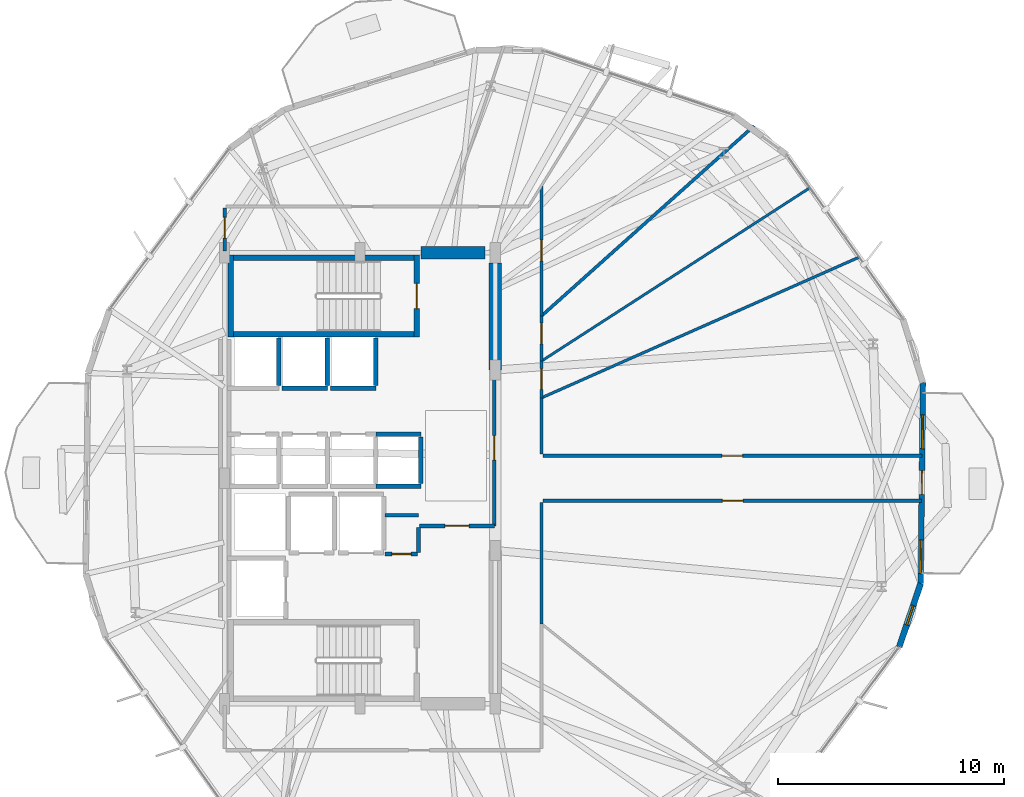
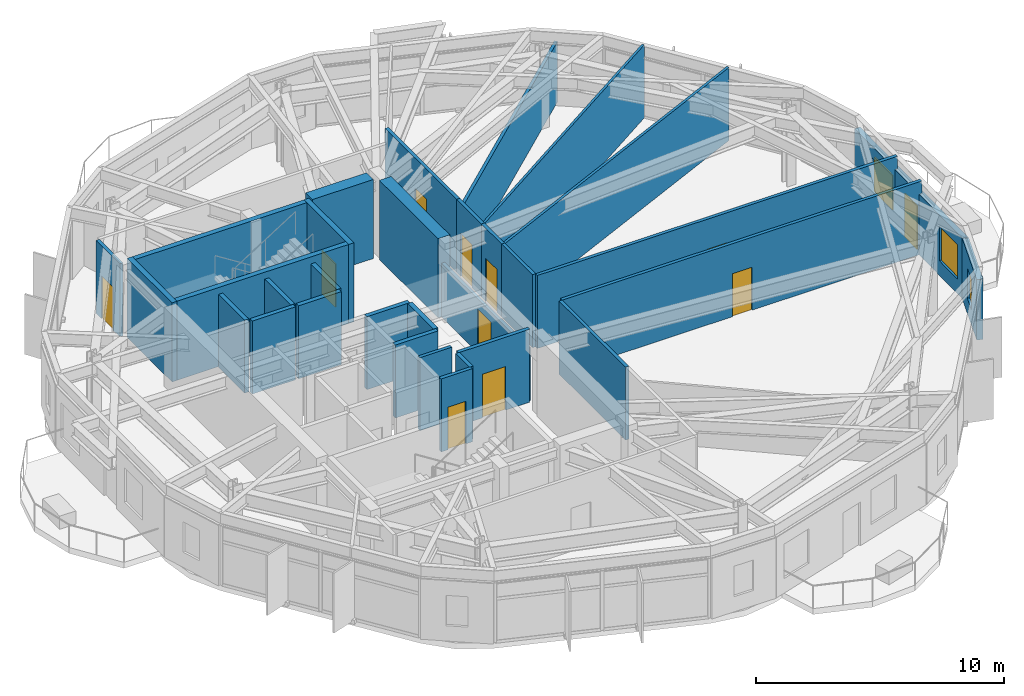
# One storey, part 23 of 27: 32 walls, 11 doors, 3 windows, 14 openings.
"""IFC4 building model written with IfcOpenShell, lengths in metres."""

from ifc_helpers import new_model, si_unit, direction, frame, frame_2d, origin, place, context, subcontext, project, spatial, rectangle, extrude, material, layer, layer_set, type_object, element, fill, save


model = new_model("IFC4")

# Units and contexts
model_context = context("Model", 3, precision=1e-05, world=origin(), true_north=direction((0.0, 1.0)))
body_context = subcontext(model_context, "Body", "Model", "MODEL_VIEW")
ifc_project = project(units=[si_unit("LENGTHUNIT", "METRE"), si_unit("AREAUNIT", "SQUARE_METRE"), si_unit("VOLUMEUNIT", "CUBIC_METRE"), si_unit("PLANEANGLEUNIT", "RADIAN"), si_unit("MASSUNIT", "GRAM", prefix="KILO")], contexts=[model_context])

# Site, building, storey
site_placement = place(None, origin())
site = spatial("IfcSite", under=ifc_project, at=site_placement, CompositionType="ELEMENT")
building_placement = place(site_placement, origin())
building = spatial("IfcBuilding", under=site, at=building_placement, Name="Soratama Intermodal Tower", CompositionType="ELEMENT")
storey_placement = place(building_placement, frame((0.0, 0.0, 95.199951171875)))
storey = spatial("IfcBuildingStorey", under=building, at=storey_placement, Name="L22", CompositionType="ELEMENT", Elevation=95.199951171875)

# Wall, openings, door, windows
ifc_material_1 = material(Name="Concrete f'c 42 MPa", Category="concrete")
ifc_layer_1 = layer(ifc_material_1, 0.25)
ifc_layer_set_1 = layer_set([ifc_layer_1], Name="Concrete f'c 42 MPa")
wall_type_1 = type_object("IfcWallType", Name="EW-BAL-250", PredefinedType="SOLIDWALL", material=ifc_layer_set_1)
wall_1_placement = place(storey_placement, frame((63.456298828125, 20.332763671875, 0.0), z_axis=(0.0, 0.0, 1.0), x_axis=(0.011510186569, 0.999933755608, 0.0)))
wall_1 = element("IfcWall", 1, at=wall_1_placement, inside=storey, type_object=wall_type_1, Name="L22 Terrace Wall F10", PredefinedType="SOLIDWALL", context=body_context, shape_type="SweptSolid", body=[
    extrude(rectangle(XDim=8.908447265625, YDim=0.25, at=frame_2d((4.4541015625, 0.0))), origin(), (0.0, 0.0, 1.0), 2.97900390625),
])
opening_1_placement = place(wall_1_placement, frame((3.954345703125, 0.0, 0.0)))
opening_1 = element("IfcOpeningElement", 2, at=opening_1_placement, cuts=wall_1, Name="Opening ED-5", PredefinedType="OPENING", context=body_context, shape_type="SweptSolid", body=[
    extrude(rectangle(XDim=1.050048828125, YDim=2.14990234375, at=frame_2d((0.52490234375, 1.074951171875))), frame((0.0, 0.135009765625, 0.0), z_axis=(0.0, -1.0, 0.0), x_axis=(1.0, 0.0, 0.0)), (0.0, 0.0, 1.0), 0.27001953125),
])
opening_2_placement = place(wall_1_placement, frame((0.43994140625, 0.0, 0.719970703125)))
opening_2 = element("IfcOpeningElement", 3, at=opening_2_placement, cuts=wall_1, Name="Opening WN-1", PredefinedType="OPENING", context=body_context, shape_type="SweptSolid", body=[
    extrude(rectangle(XDim=1.5, YDim=1.699951171875, at=frame_2d((0.75, 0.85009765625))), frame((0.0, 0.135009765625, 0.0), z_axis=(0.0, -1.0, 0.0), x_axis=(1.0, 0.0, 0.0)), (0.0, 0.0, 1.0), 0.27001953125),
])
opening_3_placement = place(wall_1_placement, frame((5.975341796875, 0.0, 0.719970703125)))
opening_3 = element("IfcOpeningElement", 4, at=opening_3_placement, cuts=wall_1, Name="Opening WN-1", PredefinedType="OPENING", context=body_context, shape_type="SweptSolid", body=[
    extrude(rectangle(XDim=1.5, YDim=1.699951171875, at=frame_2d((0.75, 0.85009765625))), frame((0.0, 0.135009765625, 0.0), z_axis=(0.0, -1.0, 0.0), x_axis=(1.0, 0.0, 0.0)), (0.0, 0.0, 1.0), 0.27001953125),
])
ifc_material_2 = material(Name="Double-glazed aluminium door", Category="aluminium")
door_type_1 = type_object("IfcDoorType", Name="DR-BAL-1050", OperationType="NOTDEFINED", PredefinedType="DOOR", material=ifc_material_2)
door_1_placement = place(opening_1_placement, origin())
door_1 = element("IfcDoor", 5, at=door_1_placement, inside=storey, type_object=door_type_1, Name="L22 Balcony Door F10", OperationType="SINGLE_SWING_RIGHT", OverallHeight=2.14990234375, OverallWidth=1.050048828125, PredefinedType="DOOR", context=body_context, shape_type="SweptSolid", body=[
    extrude(rectangle(XDim=1.050048828125, YDim=2.14990234375, at=frame_2d((0.52490234375, 1.074951171875))), frame((0.0, 0.02490234375, 0.0), z_axis=(0.0, -1.0, 0.0), x_axis=(1.0, 0.0, 0.0)), (0.0, 0.0, 1.0), 0.050048828125),
])
fill(opening_1, door_1)
ifc_material_3 = material(Name="Double-glazed aluminium window", Category="aluminium")
window_type_1 = type_object("IfcWindowType", Name="WN-FAC-1500", PartitioningType="SINGLE_PANEL", PredefinedType="WINDOW", material=ifc_material_3)
window_1_placement = place(opening_2_placement, origin())
window_1 = element("IfcWindow", 6, at=window_1_placement, inside=storey, type_object=window_type_1, Name="L22 Window A F10", OverallHeight=1.699951171875, OverallWidth=1.5, PartitioningType="SINGLE_PANEL", PredefinedType="WINDOW", context=body_context, shape_type="SweptSolid", body=[
    extrude(rectangle(XDim=1.5, YDim=1.699951171875, at=frame_2d((0.75, 0.85009765625))), frame((0.0, 0.030029296875, 0.0), z_axis=(0.0, -1.0, 0.0), x_axis=(1.0, 0.0, 0.0)), (0.0, 0.0, 1.0), 0.06005859375),
])
fill(opening_2, window_1)
window_2_placement = place(opening_3_placement, origin())
window_2 = element("IfcWindow", 7, at=window_2_placement, inside=storey, type_object=window_type_1, Name="L22 Window B F10", OverallHeight=1.699951171875, OverallWidth=1.5, PartitioningType="SINGLE_PANEL", PredefinedType="WINDOW", context=body_context, shape_type="SweptSolid", body=[
    extrude(rectangle(XDim=1.5, YDim=1.699951171875, at=frame_2d((0.75, 0.85009765625))), frame((0.0, 0.030029296875, 0.0), z_axis=(0.0, -1.0, 0.0), x_axis=(1.0, 0.0, 0.0)), (0.0, 0.0, 1.0), 0.06005859375),
])
fill(opening_3, window_2)

# Wall, opening, window
ifc_material_4 = material(Name="Concrete f'c 42 MPa", Category="concrete")
ifc_layer_2 = layer(ifc_material_4, 0.27001953125)
ifc_layer_set_2 = layer_set([ifc_layer_2], Name="Concrete f'c 42 MPa")
wall_type_2 = type_object("IfcWallType", Name="EW-CRN-270", PredefinedType="SOLIDWALL", material=ifc_layer_set_2)
wall_2_placement = place(storey_placement, frame((62.507080078125, 17.522216796875, 0.0), z_axis=(0.0, 0.0, 1.0), x_axis=(0.319978121569, 0.94742493197, 0.0)))
wall_2 = element("IfcWall", 8, at=wall_2_placement, inside=storey, type_object=wall_type_2, Name="L22 Corner Closure Wall 09", PredefinedType="SOLIDWALL", context=body_context, shape_type="SweptSolid", body=[
    extrude(rectangle(XDim=2.966552734375, YDim=0.27001953125, at=frame_2d((1.4833984375, 0.0))), origin(), (0.0, 0.0, 1.0), 2.97900390625),
])
opening_4_placement = place(wall_2_placement, frame((1.033203125, 0.0, 0.75)))
opening_4 = element("IfcOpeningElement", 9, at=opening_4_placement, cuts=wall_2, Name="Opening WN-6", PredefinedType="OPENING", context=body_context, shape_type="SweptSolid", body=[
    extrude(rectangle(XDim=0.89990234375, YDim=1.5, at=frame_2d((0.449951171875, 0.75))), frame((0.0, 0.14501953125, 0.0), z_axis=(0.0, -1.0, 0.0), x_axis=(1.0, 0.0, 0.0)), (0.0, 0.0, 1.0), 0.2900390625),
])
ifc_material_5 = material(Name="Double-glazed aluminium window", Category="aluminium")
window_type_2 = type_object("IfcWindowType", Name="WN-FAC-900", PartitioningType="SINGLE_PANEL", PredefinedType="WINDOW", material=ifc_material_5)
window_3_placement = place(opening_4_placement, origin())
window_3 = element("IfcWindow", 10, at=window_3_placement, inside=storey, type_object=window_type_2, Name="L22 Corner Window 09", OverallHeight=1.5, OverallWidth=0.89990234375, PartitioningType="SINGLE_PANEL", PredefinedType="WINDOW", context=body_context, shape_type="SweptSolid", body=[
    extrude(rectangle(XDim=0.89990234375, YDim=1.5, at=frame_2d((0.449951171875, 0.75))), frame((0.0, 0.030029296875, 0.0), z_axis=(0.0, -1.0, 0.0), x_axis=(1.0, 0.0, 0.0)), (0.0, 0.0, 1.0), 0.06005859375),
])
fill(opening_4, window_3)

# Wall, opening, door
ifc_material_6 = material(Name="Fire-rated gypsum stud partition", Category="concrete")
ifc_layer_3 = layer(ifc_material_6, 0.14990234375)
ifc_layer_set_3 = layer_set([ifc_layer_3], Name="Fire-rated gypsum stud partition")
wall_type_3 = type_object("IfcWallType", Name="IW-PART-R150", PredefinedType="PARTITIONING", material=ifc_layer_set_3)
wall_3_placement = place(storey_placement, frame((46.719970703125, 26.0, 0.0), z_axis=(0.0, 0.0, 1.0), x_axis=(1.0, 0.0, 0.0)))
wall_3 = element("IfcWall", 11, at=wall_3_placement, inside=storey, type_object=wall_type_3, Name="L22 Partition W-L22-TP001", PredefinedType="PARTITIONING", context=body_context, shape_type="SweptSolid", body=[
    extrude(rectangle(XDim=16.802001953125, YDim=0.14990234375, at=frame_2d((8.40087890625, 0.0))), origin(), (0.0, 0.0, 1.0), 3.60009765625),
])
opening_5_placement = place(wall_3_placement, frame((7.926025390625, 0.0, 0.0)))
opening_5 = element("IfcOpeningElement", 12, at=opening_5_placement, cuts=wall_3, Name="Opening ID-6", PredefinedType="OPENING", context=body_context, shape_type="SweptSolid", body=[
    extrude(rectangle(XDim=0.919921875, YDim=2.1201171875, at=frame_2d((0.4599609375, 1.06005859375))), frame((0.0, 0.0849609375, 0.0), z_axis=(0.0, -1.0, 0.0), x_axis=(1.0, 0.0, 0.0)), (0.0, 0.0, 1.0), 0.169921875),
])
ifc_material_7 = material(Name="Solid hardwood acoustic door", Category="wood")
door_type_2 = type_object("IfcDoorType", Name="DR-ROOM-920", OperationType="NOTDEFINED", PredefinedType="DOOR", material=ifc_material_7)
door_2_placement = place(opening_5_placement, origin())
door_2 = element("IfcDoor", 13, at=door_2_placement, inside=storey, type_object=door_type_2, Name="L22 Door D-L22-TP001", OperationType="SINGLE_SWING_RIGHT", OverallHeight=2.1201171875, OverallWidth=0.919921875, PredefinedType="DOOR", context=body_context, shape_type="SweptSolid", body=[
    extrude(rectangle(XDim=0.919921875, YDim=2.1201171875, at=frame_2d((0.4599609375, 1.06005859375))), frame((0.0, 0.02490234375, 0.0), z_axis=(0.0, -1.0, 0.0), x_axis=(1.0, 0.0, 0.0)), (0.0, 0.0, 1.0), 0.050048828125),
])
fill(opening_5, door_2)

wall_4_placement = place(storey_placement, frame((63.4990234375, 24.0, 0.0), z_axis=(0.0, 0.0, 1.0), x_axis=(-1.0, 0.0, 0.0)))
wall_4 = element("IfcWall", 14, at=wall_4_placement, inside=storey, type_object=wall_type_3, Name="L22 Partition W-L22-TP002", PredefinedType="PARTITIONING", context=body_context, shape_type="SweptSolid", body=[
    extrude(rectangle(XDim=16.779052734375, YDim=0.14990234375, at=frame_2d((8.3896484375, 0.0))), origin(), (0.0, 0.0, 1.0), 3.60009765625),
])
opening_6_placement = place(wall_4_placement, frame((7.9150390625, 0.0, 0.0)))
opening_6 = element("IfcOpeningElement", 15, at=opening_6_placement, cuts=wall_4, Name="Opening ID-6", PredefinedType="OPENING", context=body_context, shape_type="SweptSolid", body=[
    extrude(rectangle(XDim=0.919921875, YDim=2.1201171875, at=frame_2d((0.4599609375, 1.06005859375))), frame((0.0, 0.0849609375, 0.0), z_axis=(0.0, -1.0, 0.0), x_axis=(1.0, 0.0, 0.0)), (0.0, 0.0, 1.0), 0.169921875),
])
door_3_placement = place(opening_6_placement, origin())
door_3 = element("IfcDoor", 16, at=door_3_placement, inside=storey, type_object=door_type_2, Name="L22 Door D-L22-TP002", OperationType="SINGLE_SWING_LEFT", OverallHeight=2.1201171875, OverallWidth=0.919921875, PredefinedType="DOOR", context=body_context, shape_type="SweptSolid", body=[
    extrude(rectangle(XDim=0.919921875, YDim=2.1201171875, at=frame_2d((0.4599609375, 1.06005859375))), frame((0.0, 0.02490234375, 0.0), z_axis=(0.0, -1.0, 0.0), x_axis=(1.0, 0.0, 0.0)), (0.0, 0.0, 1.0), 0.050048828125),
])
fill(opening_6, door_3)

wall_5_placement = place(storey_placement, frame((44.56005859375, 29.800048828125, 0.0), z_axis=(0.0, 0.0, 1.0), x_axis=(0.0, -1.0, 0.0)))
wall_5 = element("IfcWall", 17, at=wall_5_placement, inside=storey, type_object=wall_type_3, Name="L22 Partition W-L22-TP011", PredefinedType="PARTITIONING", context=body_context, shape_type="SweptSolid", body=[
    extrude(rectangle(XDim=6.91015625, YDim=0.14990234375, at=frame_2d((3.455078125, 0.0))), origin(), (0.0, 0.0, 1.0), 2.64013671875),
])
opening_7_placement = place(wall_5_placement, frame((2.9150390625, 0.0, 0.0)))
opening_7 = element("IfcOpeningElement", 18, at=opening_7_placement, cuts=wall_5, Name="Opening ID-1", PredefinedType="OPENING", context=body_context, shape_type="SweptSolid", body=[
    extrude(rectangle(XDim=1.080078125, YDim=2.14990234375, at=frame_2d((0.5400390625, 1.074951171875))), frame((0.0, 0.0849609375, 0.0), z_axis=(0.0, -1.0, 0.0), x_axis=(1.0, 0.0, 0.0)), (0.0, 0.0, 1.0), 0.169921875),
])
ifc_material_8 = material(Name="Solid hardwood acoustic door", Category="wood")
door_type_3 = type_object("IfcDoorType", Name="DR-LOB-FD60", OperationType="NOTDEFINED", PredefinedType="DOOR", material=ifc_material_8)
door_4_placement = place(opening_7_placement, origin())
door_4 = element("IfcDoor", 19, at=door_4_placement, inside=storey, type_object=door_type_3, Name="L22 Door D-L22-TP005", OperationType="SINGLE_SWING_RIGHT", OverallHeight=2.14990234375, OverallWidth=1.080078125, PredefinedType="DOOR", context=body_context, shape_type="SweptSolid", body=[
    extrude(rectangle(XDim=1.080078125, YDim=2.14990234375, at=frame_2d((0.5400390625, 1.074951171875))), frame((0.0, 0.02490234375, 0.0), z_axis=(0.0, -1.0, 0.0), x_axis=(1.0, 0.0, 0.0)), (0.0, 0.0, 1.0), 0.050048828125),
])
fill(opening_7, door_4)

wall_6_placement = place(storey_placement, frame((46.64990234375, 37.972900390625, 0.0), z_axis=(0.0, 0.0, 1.0), x_axis=(0.0, -1.0, 0.0)))
wall_6 = element("IfcWall", 20, at=wall_6_placement, inside=storey, type_object=wall_type_3, Name="L22 Partition W-L22-TP012", PredefinedType="PARTITIONING", context=body_context, shape_type="SweptSolid", body=[
    extrude(rectangle(XDim=5.77392578125, YDim=0.14990234375, at=frame_2d((2.886962890625, 0.0))), origin(), (0.0, 0.0, 1.0), 3.60009765625),
])
opening_8_placement = place(wall_6_placement, frame((2.412109375, 0.0, 0.0)))
opening_8 = element("IfcOpeningElement", 21, at=opening_8_placement, cuts=wall_6, Name="Opening ID-6", PredefinedType="OPENING", context=body_context, shape_type="SweptSolid", body=[
    extrude(rectangle(XDim=0.919921875, YDim=2.1201171875, at=frame_2d((0.4599609375, 1.06005859375))), frame((0.0, 0.0849609375, 0.0), z_axis=(0.0, -1.0, 0.0), x_axis=(1.0, 0.0, 0.0)), (0.0, 0.0, 1.0), 0.169921875),
])
door_5_placement = place(opening_8_placement, origin())
door_5 = element("IfcDoor", 22, at=door_5_placement, inside=storey, type_object=door_type_2, Name="L22 Door D-L22-TP006", OperationType="SINGLE_SWING_LEFT", OverallHeight=2.1201171875, OverallWidth=0.919921875, PredefinedType="DOOR", context=body_context, shape_type="SweptSolid", body=[
    extrude(rectangle(XDim=0.919921875, YDim=2.1201171875, at=frame_2d((0.4599609375, 1.06005859375))), frame((0.0, 0.02490234375, 0.0), z_axis=(0.0, -1.0, 0.0), x_axis=(1.0, 0.0, 0.0)), (0.0, 0.0, 1.0), 0.050048828125),
])
fill(opening_8, door_5)

# Walls
wall_7_placement = place(storey_placement, frame((46.64990234375, 23.929931640625, 0.0), z_axis=(0.0, 0.0, 1.0), x_axis=(0.0, -1.0, 0.0)))
element("IfcWall", 23, at=wall_7_placement, inside=storey, type_object=wall_type_3, Name="L22 Partition W-L22-TP014", PredefinedType="PARTITIONING", context=body_context, shape_type="SweptSolid", body=[
    extrude(rectangle(XDim=5.3798828125, YDim=0.14990234375, at=frame_2d((2.68994140625, 0.0))), origin(), (0.0, 0.0, 1.0), 3.60009765625),
])
wall_8_placement = place(storey_placement, frame((46.64990234375, 28.56591796875, 0.0), z_axis=(0.0, 0.0, 1.0), x_axis=(0.0, -1.0, 0.0)))
element("IfcWall", 24, at=wall_8_placement, inside=storey, type_object=wall_type_3, Name="L22 Partition W-L22-TP021", PredefinedType="PARTITIONING", context=body_context, shape_type="SweptSolid", body=[
    extrude(rectangle(XDim=2.495849609375, YDim=0.14990234375, at=frame_2d((1.248046875, 0.0))), origin(), (0.0, 0.0, 1.0), 3.60009765625),
])

# Wall, opening, door
wall_9_placement = place(storey_placement, frame((46.64990234375, 32.198974609375, 0.0), z_axis=(0.0, 0.0, 1.0), x_axis=(0.0, -1.0, 0.0)))
wall_9 = element("IfcWall", 25, at=wall_9_placement, inside=storey, type_object=wall_type_3, Name="L22 Partition W-L22-TP023", PredefinedType="PARTITIONING", context=body_context, shape_type="SweptSolid", body=[
    extrude(rectangle(XDim=2.001953125, YDim=0.14990234375, at=frame_2d((1.0009765625, 0.0))), origin(), (0.0, 0.0, 1.0), 3.60009765625),
])
opening_9_placement = place(wall_9_placement, frame((0.325927734375, 0.0, 0.0)))
opening_9 = element("IfcOpeningElement", 26, at=opening_9_placement, cuts=wall_9, Name="Opening ID-6", PredefinedType="OPENING", context=body_context, shape_type="SweptSolid", body=[
    extrude(rectangle(XDim=0.919921875, YDim=2.1201171875, at=frame_2d((0.4599609375, 1.06005859375))), frame((0.0, 0.0849609375, 0.0), z_axis=(0.0, -1.0, 0.0), x_axis=(1.0, 0.0, 0.0)), (0.0, 0.0, 1.0), 0.169921875),
])
door_6_placement = place(opening_9_placement, origin())
door_6 = element("IfcDoor", 27, at=door_6_placement, inside=storey, type_object=door_type_2, Name="L22 Door D-L22-TP010", OperationType="SINGLE_SWING_LEFT", OverallHeight=2.1201171875, OverallWidth=0.919921875, PredefinedType="DOOR", context=body_context, shape_type="SweptSolid", body=[
    extrude(rectangle(XDim=0.919921875, YDim=2.1201171875, at=frame_2d((0.4599609375, 1.06005859375))), frame((0.0, 0.02490234375, 0.0), z_axis=(0.0, -1.0, 0.0), x_axis=(1.0, 0.0, 0.0)), (0.0, 0.0, 1.0), 0.050048828125),
])
fill(opening_9, door_6)

wall_10_placement = place(storey_placement, frame((32.60009765625, 35.070068359375, 0.0), z_axis=(0.0, 0.0, 1.0), x_axis=(0.0, 1.0, 0.0)))
wall_10 = element("IfcWall", 28, at=wall_10_placement, inside=storey, type_object=wall_type_3, Name="L22 Partition W-L22-TP025", PredefinedType="PARTITIONING", context=body_context, shape_type="SweptSolid", body=[
    extrude(rectangle(XDim=1.909912109375, YDim=0.14990234375, at=frame_2d((0.955078125, 0.0))), origin(), (0.0, 0.0, 1.0), 3.60009765625),
])
opening_10_placement = place(wall_10_placement, frame((0.574951171875, 0.0, 0.0)))
opening_10 = element("IfcOpeningElement", 29, at=opening_10_placement, cuts=wall_10, Name="Opening ID-6", PredefinedType="OPENING", context=body_context, shape_type="SweptSolid", body=[
    extrude(rectangle(XDim=0.919921875, YDim=2.1201171875, at=frame_2d((0.4599609375, 1.06005859375))), frame((0.0, 0.0849609375, 0.0), z_axis=(0.0, -1.0, 0.0), x_axis=(1.0, 0.0, 0.0)), (0.0, 0.0, 1.0), 0.169921875),
])
door_7_placement = place(opening_10_placement, origin())
door_7 = element("IfcDoor", 30, at=door_7_placement, inside=storey, type_object=door_type_2, Name="L22 Door D-L22-TP011", OperationType="SINGLE_SWING_RIGHT", OverallHeight=2.1201171875, OverallWidth=0.919921875, PredefinedType="DOOR", context=body_context, shape_type="SweptSolid", body=[
    extrude(rectangle(XDim=0.919921875, YDim=2.1201171875, at=frame_2d((0.4599609375, 1.06005859375))), frame((0.0, 0.02490234375, 0.0), z_axis=(0.0, -1.0, 0.0), x_axis=(1.0, 0.0, 0.0)), (0.0, 0.0, 1.0), 0.050048828125),
])
fill(opening_10, door_7)

wall_11_placement = place(storey_placement, frame((46.64990234375, 30.197021484375, 0.0), z_axis=(0.0, 0.0, 1.0), x_axis=(0.0, -1.0, 0.0)))
wall_11 = element("IfcWall", 31, at=wall_11_placement, inside=storey, type_object=wall_type_3, Name="L22 Partition W-L22-TP026", PredefinedType="PARTITIONING", context=body_context, shape_type="SweptSolid", body=[
    extrude(rectangle(XDim=1.631103515625, YDim=0.14990234375, at=frame_2d((0.8154296875, 0.0))), origin(), (0.0, 0.0, 1.0), 3.60009765625),
])
opening_11_placement = place(wall_11_placement, frame((0.341064453125, 0.0, 0.0)))
opening_11 = element("IfcOpeningElement", 32, at=opening_11_placement, cuts=wall_11, Name="Opening ID-6", PredefinedType="OPENING", context=body_context, shape_type="SweptSolid", body=[
    extrude(rectangle(XDim=0.919921875, YDim=2.1201171875, at=frame_2d((0.4599609375, 1.06005859375))), frame((0.0, 0.0849609375, 0.0), z_axis=(0.0, -1.0, 0.0), x_axis=(1.0, 0.0, 0.0)), (0.0, 0.0, 1.0), 0.169921875),
])
door_8_placement = place(opening_11_placement, origin())
door_8 = element("IfcDoor", 33, at=door_8_placement, inside=storey, type_object=door_type_2, Name="L22 Door D-L22-TP012", OperationType="SINGLE_SWING_LEFT", OverallHeight=2.1201171875, OverallWidth=0.919921875, PredefinedType="DOOR", context=body_context, shape_type="SweptSolid", body=[
    extrude(rectangle(XDim=0.919921875, YDim=2.1201171875, at=frame_2d((0.4599609375, 1.06005859375))), frame((0.0, 0.02490234375, 0.0), z_axis=(0.0, -1.0, 0.0), x_axis=(1.0, 0.0, 0.0)), (0.0, 0.0, 1.0), 0.050048828125),
])
fill(opening_11, door_8)

# Wall
wall_12_placement = place(storey_placement, frame((41.199951171875, 23.360107421875, 0.0), z_axis=(0.0, 0.0, 1.0), x_axis=(-1.0, 0.0, 0.0)))
element("IfcWall", 34, at=wall_12_placement, inside=storey, type_object=wall_type_3, Name="L22 Partition W-L22-TP029", PredefinedType="PARTITIONING", context=body_context, shape_type="SweptSolid", body=[
    extrude(rectangle(XDim=1.47998046875, YDim=0.14990234375, at=frame_2d((0.739990234375, 0.0))), origin(), (0.0, 0.0, 1.0), 3.60009765625),
])

# Wall, opening, door
ifc_material_9 = material(Name="Fire-rated gypsum stud partition", Category="concrete")
ifc_layer_4 = layer(ifc_material_9, 0.169921875)
ifc_layer_set_4 = layer_set([ifc_layer_4], Name="Fire-rated gypsum stud partition")
wall_type_4 = type_object("IfcWallType", Name="IW-PART-R170", PredefinedType="PARTITIONING", material=ifc_layer_set_4)
wall_13_placement = place(storey_placement, frame((41.239990234375, 22.889892578125, 0.0), z_axis=(0.0, 0.0, 1.0), x_axis=(1.0, 0.0, 0.0)))
wall_13 = element("IfcWall", 35, at=wall_13_placement, inside=storey, type_object=wall_type_4, Name="L22 Partition W-L22-TP019", PredefinedType="PARTITIONING", context=body_context, shape_type="SweptSolid", body=[
    extrude(rectangle(XDim=3.320068359375, YDim=0.169921875, at=frame_2d((1.66015625, 0.0))), origin(), (0.0, 0.0, 1.0), 3.60009765625),
])
opening_12_placement = place(wall_13_placement, frame((1.1201171875, 0.0, 0.0)))
opening_12 = element("IfcOpeningElement", 36, at=opening_12_placement, cuts=wall_13, Name="Opening ID-0", PredefinedType="OPENING", context=body_context, shape_type="SweptSolid", body=[
    extrude(rectangle(XDim=1.080078125, YDim=2.14990234375, at=frame_2d((0.5400390625, 1.074951171875))), frame((0.0, 0.094970703125, 0.0), z_axis=(0.0, -1.0, 0.0), x_axis=(1.0, 0.0, 0.0)), (0.0, 0.0, 1.0), 0.18994140625),
])
ifc_material_10 = material(Name="Solid hardwood acoustic door", Category="wood")
door_type_4 = type_object("IfcDoorType", Name="DR-LOB-FD90", OperationType="NOTDEFINED", PredefinedType="DOOR", material=ifc_material_10)
door_9_placement = place(opening_12_placement, origin())
door_9 = element("IfcDoor", 37, at=door_9_placement, inside=storey, type_object=door_type_4, Name="L22 Door D-L22-TP008", OperationType="SINGLE_SWING_LEFT", OverallHeight=2.14990234375, OverallWidth=1.080078125, PredefinedType="DOOR", context=body_context, shape_type="SweptSolid", body=[
    extrude(rectangle(XDim=1.080078125, YDim=2.14990234375, at=frame_2d((0.5400390625, 1.074951171875))), frame((0.0, 0.02490234375, 0.0), z_axis=(0.0, -1.0, 0.0), x_axis=(1.0, 0.0, 0.0)), (0.0, 0.0, 1.0), 0.050048828125),
])
fill(opening_12, door_9)

wall_14_placement = place(storey_placement, frame((39.719970703125, 21.639892578125, 0.0), z_axis=(0.0, 0.0, 1.0), x_axis=(1.0, 0.0, 0.0)))
wall_14 = element("IfcWall", 38, at=wall_14_placement, inside=storey, type_object=wall_type_4, Name="L22 Partition W-L22-TP027", PredefinedType="PARTITIONING", context=body_context, shape_type="SweptSolid", body=[
    extrude(rectangle(XDim=1.43994140625, YDim=0.169921875, at=frame_2d((0.719970703125, 0.0))), origin(), (0.0, 0.0, 1.0), 3.60009765625),
])
opening_13_placement = place(wall_14_placement, frame((0.294921875, 0.0, 0.0)))
opening_13 = element("IfcOpeningElement", 39, at=opening_13_placement, cuts=wall_14, Name="Opening ID-4", PredefinedType="OPENING", context=body_context, shape_type="SweptSolid", body=[
    extrude(rectangle(XDim=0.85009765625, YDim=2.10009765625, at=frame_2d((0.425048828125, 1.050048828125))), frame((0.0, 0.094970703125, 0.0), z_axis=(0.0, -1.0, 0.0), x_axis=(1.0, 0.0, 0.0)), (0.0, 0.0, 1.0), 0.18994140625),
])
ifc_material_11 = material(Name="Solid hardwood acoustic door", Category="wood")
door_type_5 = type_object("IfcDoorType", Name="DR-BATH-850", OperationType="NOTDEFINED", PredefinedType="DOOR", material=ifc_material_11)
door_10_placement = place(opening_13_placement, origin())
door_10 = element("IfcDoor", 40, at=door_10_placement, inside=storey, type_object=door_type_5, Name="L22 Door D-L22-TP013", OperationType="SINGLE_SWING_RIGHT", OverallHeight=2.10009765625, OverallWidth=0.85009765625, PredefinedType="DOOR", context=body_context, shape_type="SweptSolid", body=[
    extrude(rectangle(XDim=0.85009765625, YDim=2.10009765625, at=frame_2d((0.425048828125, 1.050048828125))), frame((0.0, 0.02490234375, 0.0), z_axis=(0.0, -1.0, 0.0), x_axis=(1.0, 0.0, 0.0)), (0.0, 0.0, 1.0), 0.050048828125),
])
fill(opening_13, door_10)

# Walls
wall_15_placement = place(storey_placement, frame((41.199951171875, 21.699951171875, 0.0), z_axis=(0.0, 0.0, 1.0), x_axis=(0.0, 1.0, 0.0)))
element("IfcWall", 41, at=wall_15_placement, inside=storey, type_object=wall_type_4, Name="L22 Partition W-L22-TP028", PredefinedType="PARTITIONING", context=body_context, shape_type="SweptSolid", body=[
    extrude(rectangle(XDim=1.1201171875, YDim=0.169921875, at=frame_2d((0.56005859375, 0.0))), origin(), (0.0, 0.0, 1.0), 3.60009765625),
])
ifc_material_12 = material(Name="Fire-rated gypsum stud partition", Category="concrete")
ifc_layer_5 = layer(ifc_material_12, 0.110107421875)
ifc_layer_set_5 = layer_set([ifc_layer_5], Name="Fire-rated gypsum stud partition")
wall_type_5 = type_object("IfcWallType", Name="IW-PART-S110", PredefinedType="PARTITIONING", material=ifc_layer_set_5)
wall_16_placement = place(storey_placement, frame((46.64990234375, 30.197021484375, 0.0), z_axis=(0.0, 0.0, 1.0), x_axis=(0.840103662717, 0.542425880549, 0.0)))
element("IfcWall", 42, at=wall_16_placement, inside=storey, type_object=wall_type_5, Name="L22 Partition W-L22-TP004", PredefinedType="PARTITIONING", context=body_context, shape_type="SweptSolid", body=[
    extrude(rectangle(XDim=14.169677734375, YDim=0.110107421875, at=frame_2d((7.0849609375, 0.0))), origin(), (0.0, 0.0, 1.0), 3.60009765625),
])
ifc_material_13 = material(Name="Fire-rated gypsum stud partition", Category="concrete")
ifc_layer_6 = layer(ifc_material_13, 0.1201171875)
ifc_layer_set_6 = layer_set([ifc_layer_6], Name="Fire-rated gypsum stud partition")
wall_type_6 = type_object("IfcWallType", Name="IW-PART-S120", PredefinedType="PARTITIONING", material=ifc_layer_set_6)
wall_17_placement = place(storey_placement, frame((46.64990234375, 28.56591796875, 0.0), z_axis=(0.0, 0.0, 1.0), x_axis=(0.91433941556, 0.404948679653, 0.0)))
element("IfcWall", 43, at=wall_17_placement, inside=storey, type_object=wall_type_6, Name="L22 Partition W-L22-TP003", PredefinedType="PARTITIONING", context=body_context, shape_type="SweptSolid", body=[
    extrude(rectangle(XDim=15.406982421875, YDim=0.1201171875, at=frame_2d((7.70361328125, 0.0))), origin(), (0.0, 0.0, 1.0), 3.60009765625),
])
ifc_material_14 = material(Name="Fire-rated gypsum stud partition", Category="concrete")
ifc_layer_7 = layer(ifc_material_14, 0.139892578125)
ifc_layer_set_7 = layer_set([ifc_layer_7], Name="Fire-rated gypsum stud partition")
wall_type_7 = type_object("IfcWallType", Name="IW-PART-S140", PredefinedType="PARTITIONING", material=ifc_layer_set_7)
wall_18_placement = place(storey_placement, frame((46.64990234375, 32.198974609375, 0.0), z_axis=(0.0, 0.0, 1.0), x_axis=(0.745414069406, 0.666601729019, 0.0)))
element("IfcWall", 44, at=wall_18_placement, inside=storey, type_object=wall_type_7, Name="L22 Partition W-L22-TP006", PredefinedType="PARTITIONING", context=body_context, shape_type="SweptSolid", body=[
    extrude(rectangle(XDim=12.638916015625, YDim=0.139892578125, at=frame_2d((6.3193359375, 0.0))), origin(), (0.0, 0.0, 1.0), 2.97802734375),
])
ifc_material_15 = material(Name="Concrete f'c 42 MPa", Category="concrete")
ifc_layer_8 = layer(ifc_material_15, 0.199951171875)
ifc_layer_set_8 = layer_set([ifc_layer_8], Name="Concrete f'c 42 MPa")
wall_type_8 = type_object("IfcWallType", Name="IW-SHAFT-200", PredefinedType="SOLIDWALL", material=ifc_layer_set_8)
for number, where, z_axis, x_axis, name in (
    (45, (39.300048828125, 24.64990234375, 0.0), (0.0, 0.0, 1.0), (1.0, 0.0, 0.0), "L22 PL-M1 Hoistway Wall S"),
    (46, (39.300048828125, 26.949951171875, 0.0), (0.0, 0.0, 1.0), (1.0, 0.0, 0.0), "L22 PL-M1 Hoistway Wall N"),
):
    element("IfcWall", number, at=place(storey_placement, frame(where, z_axis=z_axis, x_axis=x_axis)), inside=storey, type_object=wall_type_8, Name=name, PredefinedType="SOLIDWALL", context=body_context, shape_type="SweptSolid", body=[
        extrude(rectangle(XDim=2.0, YDim=0.199951171875, at=frame_2d((1.0, 0.0))), origin(), (0.0, 0.0, 1.0), 3.60009765625),
    ])
wall_19_placement = place(storey_placement, frame((41.300048828125, 24.760009765625, 0.0), z_axis=(0.0, 0.0, 1.0), x_axis=(0.0, 1.0, 0.0)))
element("IfcWall", 47, at=wall_19_placement, inside=storey, type_object=wall_type_8, Name="L22 PL-M1 Hoistway Wall E", PredefinedType="SOLIDWALL", context=body_context, shape_type="SweptSolid", body=[
    extrude(rectangle(XDim=2.080078125, YDim=0.199951171875, at=frame_2d((1.0400390625, 0.0))), origin(), (0.0, 0.0, 1.0), 3.60009765625),
])
wall_20_placement = place(storey_placement, frame((35.0, 29.110107421875, 0.0), z_axis=(0.0, 0.0, 1.0), x_axis=(0.0, 1.0, 0.0)))
element("IfcWall", 48, at=wall_20_placement, inside=storey, type_object=wall_type_8, Name="L22 PL-M2 Hoistway Wall E", PredefinedType="SOLIDWALL", context=body_context, shape_type="SweptSolid", body=[
    extrude(rectangle(XDim=2.099853515625, YDim=0.199951171875, at=frame_2d((1.0498046875, 0.0))), origin(), (0.0, 0.0, 1.0), 3.60009765625),
])
wall_21_placement = place(storey_placement, frame((35.14990234375, 29.0, 0.0), z_axis=(0.0, 0.0, 1.0), x_axis=(1.0, 0.0, 0.0)))
element("IfcWall", 49, at=wall_21_placement, inside=storey, type_object=wall_type_8, Name="L22 PL-H1 Hoistway Wall S", PredefinedType="SOLIDWALL", context=body_context, shape_type="SweptSolid", body=[
    extrude(rectangle(XDim=2.0, YDim=0.199951171875, at=frame_2d((1.0, 0.0))), origin(), (0.0, 0.0, 1.0), 3.60009765625),
])
wall_22_placement = place(storey_placement, frame((37.14990234375, 29.110107421875, 0.0), z_axis=(0.0, 0.0, 1.0), x_axis=(0.0, 1.0, 0.0)))
element("IfcWall", 50, at=wall_22_placement, inside=storey, type_object=wall_type_8, Name="L22 PL-H1 Hoistway Wall E", PredefinedType="SOLIDWALL", context=body_context, shape_type="SweptSolid", body=[
    extrude(rectangle(XDim=2.099853515625, YDim=0.199951171875, at=frame_2d((1.0498046875, 0.0))), origin(), (0.0, 0.0, 1.0), 3.60009765625),
])
wall_23_placement = place(storey_placement, frame((37.300048828125, 29.0, 0.0), z_axis=(0.0, 0.0, 1.0), x_axis=(1.0, 0.0, 0.0)))
element("IfcWall", 51, at=wall_23_placement, inside=storey, type_object=wall_type_8, Name="L22 PL-H2 Hoistway Wall S", PredefinedType="SOLIDWALL", context=body_context, shape_type="SweptSolid", body=[
    extrude(rectangle(XDim=2.0, YDim=0.199951171875, at=frame_2d((1.0, 0.0))), origin(), (0.0, 0.0, 1.0), 3.60009765625),
])
wall_24_placement = place(storey_placement, frame((39.300048828125, 29.110107421875, 0.0), z_axis=(0.0, 0.0, 1.0), x_axis=(0.0, 1.0, 0.0)))
element("IfcWall", 52, at=wall_24_placement, inside=storey, type_object=wall_type_8, Name="L22 PL-H2 Hoistway Wall E", PredefinedType="SOLIDWALL", context=body_context, shape_type="SweptSolid", body=[
    extrude(rectangle(XDim=2.099853515625, YDim=0.199951171875, at=frame_2d((1.0498046875, 0.0))), origin(), (0.0, 0.0, 1.0), 3.60009765625),
])
ifc_material_16 = material(Name="Concrete f'c 56 MPa", Category="concrete")
ifc_layer_9 = layer(ifc_material_16, 0.550048828125)
ifc_layer_set_9 = layer_set([ifc_layer_9], Name="Concrete f'c 56 MPa")
wall_type_9 = type_object("IfcWallType", Name="SW-CORE-550", PredefinedType="SHEAR", material=ifc_layer_set_9)
wall_25_placement = place(storey_placement, frame((41.300048828125, 35.0, 0.0), z_axis=(0.0, 0.0, 1.0), x_axis=(1.0, 0.0, 0.0)))
element("IfcWall", 53, at=wall_25_placement, inside=storey, type_object=wall_type_9, Name="L22 Core Shear Wall CW-NE", PredefinedType="SHEAR", context=body_context, shape_type="SweptSolid", body=[
    extrude(rectangle(XDim=2.849853515625, YDim=0.550048828125, at=frame_2d((1.4248046875, 0.0))), origin(), (0.0, 0.0, 1.0), 3.900146484375),
])
wall_26_placement = place(storey_placement, frame((44.60009765625, 29.800048828125, 0.0), z_axis=(0.0, 0.0, 1.0), x_axis=(0.0, 1.0, 0.0)))
element("IfcWall", 54, at=wall_26_placement, inside=storey, type_object=wall_type_9, Name="L22 Core Shear Wall CW-EN", PredefinedType="SHEAR", context=body_context, shape_type="SweptSolid", body=[
    extrude(rectangle(XDim=4.75, YDim=0.550048828125, at=frame_2d((2.375, 0.0))), origin(), (0.0, 0.0, 1.0), 3.900146484375),
])
ifc_material_17 = material(Name="Concrete f'c 56 MPa", Category="concrete")
ifc_layer_10 = layer(ifc_material_17, 0.239990234375)
ifc_layer_set_10 = layer_set([ifc_layer_10], Name="Concrete f'c 56 MPa")
wall_type_10 = type_object("IfcWallType", Name="SW-STAIR-240", PredefinedType="SHEAR", material=ifc_layer_set_10)
wall_27_placement = place(storey_placement, frame((32.8798828125, 31.260009765625, 0.0), z_axis=(0.0, 0.0, 1.0), x_axis=(0.0, 1.0, 0.0)))
element("IfcWall", 55, at=wall_27_placement, inside=storey, type_object=wall_type_10, Name="L22 ST-2 Shaft Shear Wall W", PredefinedType="SHEAR", context=body_context, shape_type="SweptSolid", body=[
    extrude(rectangle(XDim=3.6298828125, YDim=0.239990234375, at=frame_2d((1.81494140625, 0.0))), origin(), (0.0, 0.0, 1.0), 3.900146484375),
])

# Wall, opening, door
wall_28_placement = place(storey_placement, frame((41.1201171875, 31.260009765625, 0.0), z_axis=(0.0, 0.0, 1.0), x_axis=(0.0, 1.0, 0.0)))
wall_28 = element("IfcWall", 56, at=wall_28_placement, inside=storey, type_object=wall_type_10, Name="L22 ST-2 Shaft Shear Wall E", PredefinedType="SHEAR", context=body_context, shape_type="SweptSolid", body=[
    extrude(rectangle(XDim=3.6298828125, YDim=0.239990234375, at=frame_2d((1.81494140625, 0.0))), origin(), (0.0, 0.0, 1.0), 3.900146484375),
])
opening_14_placement = place(wall_28_placement, frame((1.2548828125, 0.0, 0.0)))
opening_14 = element("IfcOpeningElement", 57, at=opening_14_placement, cuts=wall_28, Name="Opening SD-1", PredefinedType="OPENING", context=body_context, shape_type="SweptSolid", body=[
    extrude(rectangle(XDim=1.1201171875, YDim=2.14990234375, at=frame_2d((0.56005859375, 1.074951171875))), frame((0.0, 0.1298828125, 0.0), z_axis=(0.0, -1.0, 0.0), x_axis=(1.0, 0.0, 0.0)), (0.0, 0.0, 1.0), 0.260009765625),
])
ifc_material_18 = material(Name="Steel fire door", Category="steel")
door_type_6 = type_object("IfcDoorType", Name="DR-STAIR-FD90", OperationType="NOTDEFINED", PredefinedType="DOOR", material=ifc_material_18)
door_11_placement = place(opening_14_placement, origin())
door_11 = element("IfcDoor", 58, at=door_11_placement, inside=storey, type_object=door_type_6, Name="L22 ST-2 Exit Stair Door", OperationType="SINGLE_SWING_RIGHT", OverallHeight=2.14990234375, OverallWidth=1.1201171875, PredefinedType="DOOR", context=body_context, shape_type="SweptSolid", body=[
    extrude(rectangle(XDim=1.1201171875, YDim=2.14990234375, at=frame_2d((0.56005859375, 1.074951171875))), frame((0.0, 0.02490234375, 0.0), z_axis=(0.0, -1.0, 0.0), x_axis=(1.0, 0.0, 0.0)), (0.0, 0.0, 1.0), 0.050048828125),
])
fill(opening_14, door_11)

# Walls
for number, where, z_axis, x_axis, name in (
    (59, (33.0, 31.3798828125, 0.0), (0.0, 0.0, 1.0), (1.0, 0.0, 0.0), "L22 ST-2 Shaft Shear Wall S"),
    (60, (33.0, 34.77001953125, 0.0), (0.0, 0.0, 1.0), (1.0, 0.0, 0.0), "L22 ST-2 Shaft Shear Wall N"),
):
    element("IfcWall", number, at=place(storey_placement, frame(where, z_axis=z_axis, x_axis=x_axis)), inside=storey, type_object=wall_type_10, Name=name, PredefinedType="SHEAR", context=body_context, shape_type="SweptSolid", body=[
        extrude(rectangle(XDim=8.0, YDim=0.239990234375, at=frame_2d((4.0, 0.0))), origin(), (0.0, 0.0, 1.0), 3.900146484375),
    ])

save(model, "model.ifc")
